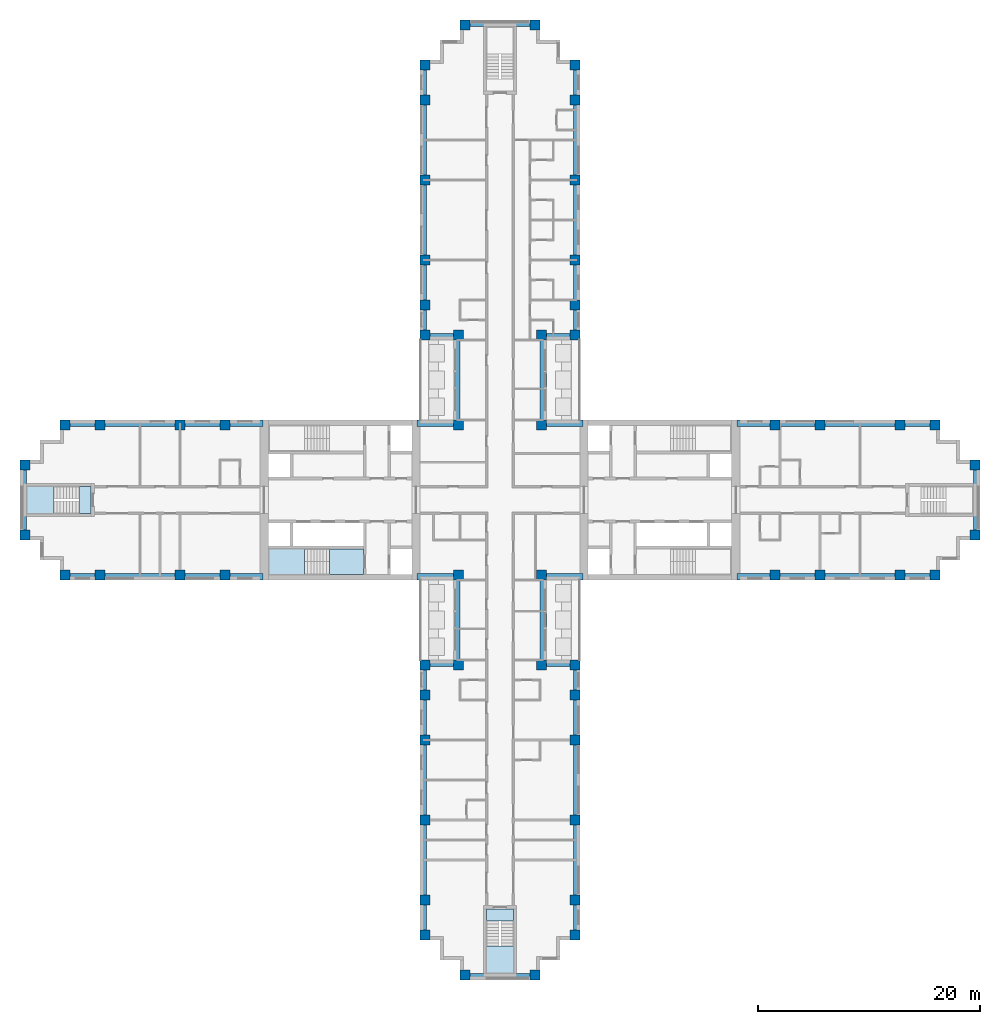
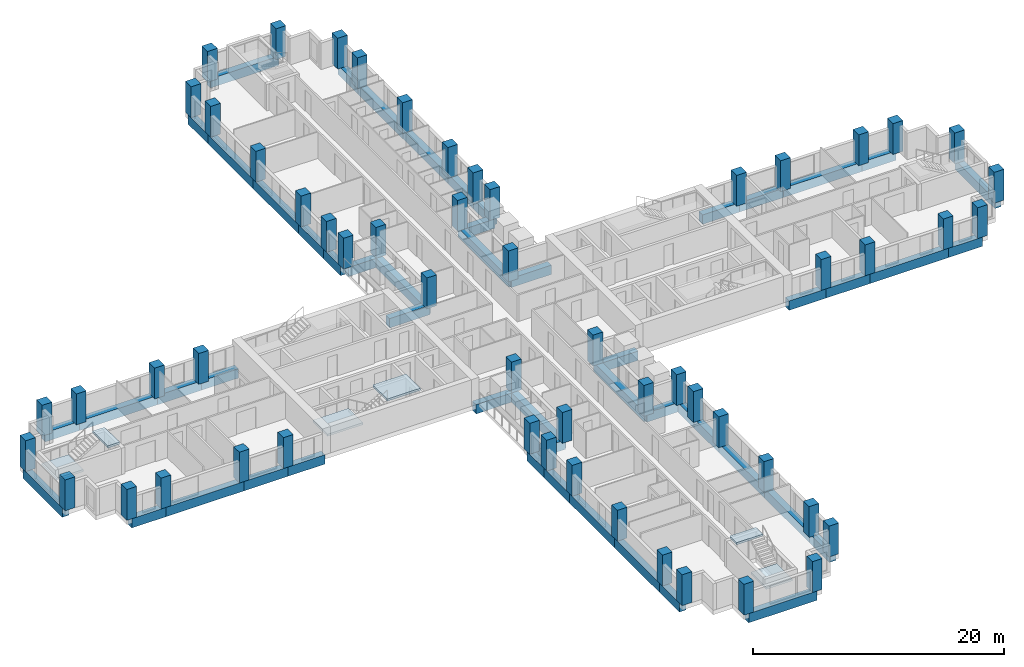
# One storey, part 1 of 15: 56 columns, 52 beams, 6 slabs, 3 elements without a shape of their own.
"""IFC4 building model written with IfcOpenShell, lengths in metres."""

from ifc_helpers import new_model, si_unit, direction, frame, origin, origin_2d, place, context, subcontext, project, spatial, polyline, rectangle, outline, extrude, material, layer, layer_set, material_profile, profile_set, type_object, element, aggregate, save


model = new_model("IFC4")

# Units and contexts
model_context = context("Model", 3, precision=1e-05, world=origin(), true_north=direction((0.0, 1.0)))
body_context = subcontext(model_context, "Body", "Model", "MODEL_VIEW")
ifc_project = project(units=[si_unit("LENGTHUNIT", "METRE"), si_unit("AREAUNIT", "SQUARE_METRE"), si_unit("VOLUMEUNIT", "CUBIC_METRE"), si_unit("PLANEANGLEUNIT", "RADIAN"), si_unit("MASSUNIT", "GRAM", prefix="KILO")], contexts=[model_context])

# Site, building, storey
site_placement = place(None, origin())
site = spatial("IfcSite", under=ifc_project, at=site_placement, CompositionType="ELEMENT")
building_placement = place(site_placement, origin())
building = spatial("IfcBuilding", under=site, at=building_placement, Name="Fustian Cross Tower", CompositionType="ELEMENT")
storey_placement = place(building_placement, frame((0.0, 0.0, 35.699951171875)))
storey = spatial("IfcBuildingStorey", under=building, at=storey_placement, Name="L10", CompositionType="ELEMENT", Elevation=35.699951171875)

# Columns
ifc_material_1 = material(Name="Concrete C70/85", Category="concrete")
ifc_material_profile_1 = material_profile(ifc_material_1, rectangle(XDim=0.89990234375, YDim=0.89990234375, at=origin_2d()), Name="RC 900x900")
ifc_profile_set_1 = profile_set([ifc_material_profile_1], Name="Concrete C70/85")
column_type = type_object("IfcColumnType", Name="COLUMN RC 900x900 C70/85", PredefinedType="COLUMN", material=ifc_profile_set_1)
for number, where, z_axis, x_axis, name in (
    (1, (-42.75, -3.14990234375, 0.0), (0.0, 0.0, 1.0), (1.0, 0.0, 0.0), "COLUMN 001"),
    (2, (-42.75, 3.14990234375, 0.0), (0.0, 0.0, 1.0), (1.0, 0.0, 0.0), "COLUMN 002"),
    (3, (-39.14990234375, -6.75, 0.0), (0.0, 0.0, 1.0), (1.0, 0.0, 0.0), "COLUMN 003"),
    (4, (-39.14990234375, 6.75, 0.0), (0.0, 0.0, 1.0), (1.0, 0.0, 0.0), "COLUMN 004"),
    (5, (-36.0, -6.75, 0.0), (0.0, 0.0, 1.0), (1.0, 0.0, 0.0), "COLUMN 005"),
    (6, (-36.0, 6.75, 0.0), (0.0, 0.0, 1.0), (1.0, 0.0, 0.0), "COLUMN 006"),
    (7, (-28.800048828125, -6.75, 0.0), (0.0, 0.0, 1.0), (1.0, 0.0, 0.0), "COLUMN 007"),
    (8, (-28.800048828125, 6.75, 0.0), (0.0, 0.0, 1.0), (1.0, 0.0, 0.0), "COLUMN 010"),
    (9, (-24.75, -6.75, 0.0), (0.0, 0.0, 1.0), (1.0, 0.0, 0.0), "COLUMN 011"),
    (10, (-24.75, 6.75, 0.0), (0.0, 0.0, 1.0), (1.0, 0.0, 0.0), "COLUMN 012"),
    (11, (-6.75, -39.14990234375, 0.0), (0.0, 0.0, 1.0), (1.0, 0.0, 0.0), "COLUMN 013"),
    (12, (-6.75, -36.0, 0.0), (0.0, 0.0, 1.0), (1.0, 0.0, 0.0), "COLUMN 014"),
    (13, (-6.75, -28.800048828125, 0.0), (0.0, 0.0, 1.0), (1.0, 0.0, 0.0), "COLUMN 015"),
    (14, (-6.75, -21.60009765625, 0.0), (0.0, 0.0, 1.0), (1.0, 0.0, 0.0), "COLUMN 016"),
    (15, (-6.75, -17.550048828125, 0.0), (0.0, 0.0, 1.0), (1.0, 0.0, 0.0), "COLUMN 017"),
    (16, (-6.75, -14.85009765625, 0.0), (0.0, 0.0, 1.0), (1.0, 0.0, 0.0), "COLUMN 018"),
    (17, (-6.75, 14.85009765625, 0.0), (0.0, 0.0, 1.0), (1.0, 0.0, 0.0), "COLUMN 019"),
    (18, (-6.75, 17.550048828125, 0.0), (0.0, 0.0, 1.0), (1.0, 0.0, 0.0), "COLUMN 020"),
    (19, (-6.75, 21.60009765625, 0.0), (0.0, 0.0, 1.0), (1.0, 0.0, 0.0), "COLUMN 021"),
    (20, (-6.75, 28.800048828125, 0.0), (0.0, 0.0, 1.0), (1.0, 0.0, 0.0), "COLUMN 022"),
    (21, (-6.75, 36.0, 0.0), (0.0, 0.0, 1.0), (1.0, 0.0, 0.0), "COLUMN 023"),
    (22, (-6.75, 39.14990234375, 0.0), (0.0, 0.0, 1.0), (1.0, 0.0, 0.0), "COLUMN 024"),
    (23, (-3.75, -14.85009765625, 0.0), (0.0, 0.0, 1.0), (1.0, 0.0, 0.0), "COLUMN 025"),
    (24, (-3.75, -6.75, 0.0), (0.0, 0.0, 1.0), (1.0, 0.0, 0.0), "COLUMN 026"),
    (25, (-3.75, 6.75, 0.0), (0.0, 0.0, 1.0), (1.0, 0.0, 0.0), "COLUMN 027"),
    (26, (-3.75, 14.85009765625, 0.0), (0.0, 0.0, 1.0), (1.0, 0.0, 0.0), "COLUMN 028"),
    (27, (-3.14990234375, -42.75, 0.0), (0.0, 0.0, 1.0), (1.0, 0.0, 0.0), "COLUMN 029"),
    (28, (-3.14990234375, 42.75, 0.0), (0.0, 0.0, 1.0), (1.0, 0.0, 0.0), "COLUMN 032"),
    (29, (3.14990234375, -42.75, 0.0), (0.0, 0.0, 1.0), (1.0, 0.0, 0.0), "COLUMN 033"),
    (30, (3.14990234375, 42.75, 0.0), (0.0, 0.0, 1.0), (1.0, 0.0, 0.0), "COLUMN 036"),
    (31, (3.75, -14.85009765625, 0.0), (0.0, 0.0, 1.0), (1.0, 0.0, 0.0), "COLUMN 037"),
    (32, (3.75, -6.75, 0.0), (0.0, 0.0, 1.0), (1.0, 0.0, 0.0), "COLUMN 038"),
    (33, (3.75, 6.75, 0.0), (0.0, 0.0, 1.0), (1.0, 0.0, 0.0), "COLUMN 039"),
    (34, (3.75, 14.85009765625, 0.0), (0.0, 0.0, 1.0), (1.0, 0.0, 0.0), "COLUMN 040"),
    (35, (6.75, -39.14990234375, 0.0), (0.0, 0.0, 1.0), (1.0, 0.0, 0.0), "COLUMN 041"),
    (36, (6.75, -36.0, 0.0), (0.0, 0.0, 1.0), (1.0, 0.0, 0.0), "COLUMN 042"),
    (37, (6.75, -28.800048828125, 0.0), (0.0, 0.0, 1.0), (1.0, 0.0, 0.0), "COLUMN 043"),
    (38, (6.75, -21.60009765625, 0.0), (0.0, 0.0, 1.0), (1.0, 0.0, 0.0), "COLUMN 044"),
    (39, (6.75, -17.550048828125, 0.0), (0.0, 0.0, 1.0), (1.0, 0.0, 0.0), "COLUMN 045"),
    (40, (6.75, -14.85009765625, 0.0), (0.0, 0.0, 1.0), (1.0, 0.0, 0.0), "COLUMN 046"),
    (41, (6.75, 14.85009765625, 0.0), (0.0, 0.0, 1.0), (1.0, 0.0, 0.0), "COLUMN 047"),
    (42, (6.75, 17.550048828125, 0.0), (0.0, 0.0, 1.0), (1.0, 0.0, 0.0), "COLUMN 048"),
    (43, (6.75, 21.60009765625, 0.0), (0.0, 0.0, 1.0), (1.0, 0.0, 0.0), "COLUMN 049"),
    (44, (6.75, 28.800048828125, 0.0), (0.0, 0.0, 1.0), (1.0, 0.0, 0.0), "COLUMN 050"),
    (45, (6.75, 36.0, 0.0), (0.0, 0.0, 1.0), (1.0, 0.0, 0.0), "COLUMN 051"),
    (46, (6.75, 39.14990234375, 0.0), (0.0, 0.0, 1.0), (1.0, 0.0, 0.0), "COLUMN 052"),
    (47, (24.75, -6.75, 0.0), (0.0, 0.0, 1.0), (1.0, 0.0, 0.0), "COLUMN 053"),
    (48, (24.75, 6.75, 0.0), (0.0, 0.0, 1.0), (1.0, 0.0, 0.0), "COLUMN 054"),
    (49, (28.800048828125, -6.75, 0.0), (0.0, 0.0, 1.0), (1.0, 0.0, 0.0), "COLUMN 055"),
    (50, (28.800048828125, 6.75, 0.0), (0.0, 0.0, 1.0), (1.0, 0.0, 0.0), "COLUMN 058"),
    (51, (36.0, -6.75, 0.0), (0.0, 0.0, 1.0), (1.0, 0.0, 0.0), "COLUMN 059"),
    (52, (36.0, 6.75, 0.0), (0.0, 0.0, 1.0), (1.0, 0.0, 0.0), "COLUMN 060"),
    (53, (39.14990234375, -6.75, 0.0), (0.0, 0.0, 1.0), (1.0, 0.0, 0.0), "COLUMN 061"),
    (54, (39.14990234375, 6.75, 0.0), (0.0, 0.0, 1.0), (1.0, 0.0, 0.0), "COLUMN 062"),
    (55, (42.75, -3.14990234375, 0.0), (0.0, 0.0, 1.0), (1.0, 0.0, 0.0), "COLUMN 063"),
    (56, (42.75, 3.14990234375, 0.0), (0.0, 0.0, 1.0), (1.0, 0.0, 0.0), "COLUMN 064"),
):
    element("IfcColumn", number, at=place(storey_placement, frame(where, z_axis=z_axis, x_axis=x_axis)), inside=storey, type_object=column_type, Name=name, PredefinedType="COLUMN", context=body_context, shape_type="SweptSolid", body=[
        extrude(rectangle(XDim=0.89990234375, YDim=0.89990234375, at=origin_2d()), origin(), (0.0, 0.0, 1.0), 3.0),
    ])

# Beams
ifc_material_2 = material(Name="Concrete C50/60", Category="concrete")
ifc_material_profile_2 = material_profile(ifc_material_2, rectangle(XDim=0.60009765625, YDim=0.89990234375, at=origin_2d()), Name="RC 600x900")
ifc_profile_set_2 = profile_set([ifc_material_profile_2], Name="Concrete C50/60")
beam_type = type_object("IfcBeamType", Name="EDGE BEAM RC 600x900 C50/60", PredefinedType="SPANDREL", material=ifc_profile_set_2)
beam_1_placement = place(storey_placement, frame((21.35009765625, -6.89990234375, -0.449951171875), z_axis=(1.0, 0.0, 0.0), x_axis=(0.0, 1.0, 0.0)))
element("IfcBeam", 57, at=beam_1_placement, inside=storey, type_object=beam_type, Name="EDGE BEAM L10-01", PredefinedType="SPANDREL", context=body_context, shape_type="SweptSolid", body=[
    extrude(rectangle(XDim=0.60009765625, YDim=0.89990234375, at=origin_2d()), origin(), (0.0, 0.0, 1.0), 3.39990234375),
])
beam_2_placement = place(storey_placement, frame((24.75, -6.89990234375, -0.449951171875), z_axis=(1.0, 0.0, 0.0), x_axis=(0.0, 1.0, 0.0)))
element("IfcBeam", 58, at=beam_2_placement, inside=storey, type_object=beam_type, Name="EDGE BEAM L10-02", PredefinedType="SPANDREL", context=body_context, shape_type="SweptSolid", body=[
    extrude(rectangle(XDim=0.60009765625, YDim=0.89990234375, at=origin_2d()), origin(), (0.0, 0.0, 1.0), 4.050048828125),
])
beam_3_placement = place(storey_placement, frame((28.800048828125, -6.89990234375, -0.449951171875), z_axis=(1.0, 0.0, 0.0), x_axis=(0.0, 1.0, 0.0)))
element("IfcBeam", 59, at=beam_3_placement, inside=storey, type_object=beam_type, Name="EDGE BEAM L10-03", PredefinedType="SPANDREL", context=body_context, shape_type="SweptSolid", body=[
    extrude(rectangle(XDim=0.60009765625, YDim=0.89990234375, at=origin_2d()), origin(), (0.0, 0.0, 1.0), 7.199951171875),
])
beam_4_placement = place(storey_placement, frame((36.0, -6.89990234375, -0.449951171875), z_axis=(1.0, 0.0, 0.0), x_axis=(0.0, 1.0, 0.0)))
element("IfcBeam", 60, at=beam_4_placement, inside=storey, type_object=beam_type, Name="EDGE BEAM L10-04", PredefinedType="SPANDREL", context=body_context, shape_type="SweptSolid", body=[
    extrude(rectangle(XDim=0.60009765625, YDim=0.89990234375, at=origin_2d()), origin(), (0.0, 0.0, 1.0), 3.14990234375),
])
beam_5_placement = place(storey_placement, frame((42.89990234375, -3.14990234375, -0.449951171875), z_axis=(0.0, 1.0, 0.0), x_axis=(-1.0, 0.0, 0.0)))
element("IfcBeam", 61, at=beam_5_placement, inside=storey, type_object=beam_type, Name="EDGE BEAM L10-05", PredefinedType="SPANDREL", context=body_context, shape_type="SweptSolid", body=[
    extrude(rectangle(XDim=0.60009765625, YDim=0.89990234375, at=origin_2d()), origin(), (0.0, 0.0, 1.0), 6.2998046875),
])
beam_6_placement = place(storey_placement, frame((39.14990234375, 6.89990234375, -0.449951171875), z_axis=(-1.0, 0.0, 0.0), x_axis=(0.0, -1.0, 0.0)))
element("IfcBeam", 62, at=beam_6_placement, inside=storey, type_object=beam_type, Name="EDGE BEAM L10-06", PredefinedType="SPANDREL", context=body_context, shape_type="SweptSolid", body=[
    extrude(rectangle(XDim=0.60009765625, YDim=0.89990234375, at=origin_2d()), origin(), (0.0, 0.0, 1.0), 3.14990234375),
])
beam_7_placement = place(storey_placement, frame((36.0, 6.89990234375, -0.449951171875), z_axis=(-1.0, 0.0, 0.0), x_axis=(0.0, -1.0, 0.0)))
element("IfcBeam", 63, at=beam_7_placement, inside=storey, type_object=beam_type, Name="EDGE BEAM L10-07", PredefinedType="SPANDREL", context=body_context, shape_type="SweptSolid", body=[
    extrude(rectangle(XDim=0.60009765625, YDim=0.89990234375, at=origin_2d()), origin(), (0.0, 0.0, 1.0), 7.199951171875),
])
beam_8_placement = place(storey_placement, frame((28.800048828125, 6.89990234375, -0.449951171875), z_axis=(-1.0, 0.0, 0.0), x_axis=(0.0, -1.0, 0.0)))
element("IfcBeam", 64, at=beam_8_placement, inside=storey, type_object=beam_type, Name="EDGE BEAM L10-08", PredefinedType="SPANDREL", context=body_context, shape_type="SweptSolid", body=[
    extrude(rectangle(XDim=0.60009765625, YDim=0.89990234375, at=origin_2d()), origin(), (0.0, 0.0, 1.0), 4.050048828125),
])
beam_9_placement = place(storey_placement, frame((24.75, 6.89990234375, -0.449951171875), z_axis=(-1.0, 0.0, 0.0), x_axis=(0.0, -1.0, 0.0)))
element("IfcBeam", 65, at=beam_9_placement, inside=storey, type_object=beam_type, Name="EDGE BEAM L10-09", PredefinedType="SPANDREL", context=body_context, shape_type="SweptSolid", body=[
    extrude(rectangle(XDim=0.60009765625, YDim=0.89990234375, at=origin_2d()), origin(), (0.0, 0.0, 1.0), 3.39990234375),
])
beam_10_placement = place(storey_placement, frame((7.449951171875, 6.89990234375, -0.449951171875), z_axis=(-1.0, 0.0, 0.0), x_axis=(0.0, -1.0, 0.0)))
element("IfcBeam", 66, at=beam_10_placement, inside=storey, type_object=beam_type, Name="EDGE BEAM L10-10", PredefinedType="SPANDREL", context=body_context, shape_type="SweptSolid", body=[
    extrude(rectangle(XDim=0.60009765625, YDim=0.89990234375, at=origin_2d()), origin(), (0.0, 0.0, 1.0), 3.699951171875),
])
beam_11_placement = place(storey_placement, frame((3.89990234375, 6.75, -0.449951171875), z_axis=(0.0, 1.0, 0.0), x_axis=(-1.0, 0.0, 0.0)))
element("IfcBeam", 67, at=beam_11_placement, inside=storey, type_object=beam_type, Name="EDGE BEAM L10-11", PredefinedType="SPANDREL", context=body_context, shape_type="SweptSolid", body=[
    extrude(rectangle(XDim=0.60009765625, YDim=0.89990234375, at=origin_2d()), origin(), (0.0, 0.0, 1.0), 8.10009765625),
])
beam_12_placement = place(storey_placement, frame((3.75, 14.699951171875, -0.449951171875), z_axis=(1.0, 0.0, 0.0), x_axis=(0.0, 1.0, 0.0)))
element("IfcBeam", 68, at=beam_12_placement, inside=storey, type_object=beam_type, Name="EDGE BEAM L10-12", PredefinedType="SPANDREL", context=body_context, shape_type="SweptSolid", body=[
    extrude(rectangle(XDim=0.60009765625, YDim=0.89990234375, at=origin_2d()), origin(), (0.0, 0.0, 1.0), 3.0),
])
beam_13_placement = place(storey_placement, frame((6.89990234375, 14.85009765625, -0.449951171875), z_axis=(0.0, 1.0, 0.0), x_axis=(-1.0, 0.0, 0.0)))
element("IfcBeam", 69, at=beam_13_placement, inside=storey, type_object=beam_type, Name="EDGE BEAM L10-13", PredefinedType="SPANDREL", context=body_context, shape_type="SweptSolid", body=[
    extrude(rectangle(XDim=0.60009765625, YDim=0.89990234375, at=origin_2d()), origin(), (0.0, 0.0, 1.0), 2.699951171875),
])
beam_14_placement = place(storey_placement, frame((6.89990234375, 17.550048828125, -0.449951171875), z_axis=(0.0, 1.0, 0.0), x_axis=(-1.0, 0.0, 0.0)))
element("IfcBeam", 70, at=beam_14_placement, inside=storey, type_object=beam_type, Name="EDGE BEAM L10-14", PredefinedType="SPANDREL", context=body_context, shape_type="SweptSolid", body=[
    extrude(rectangle(XDim=0.60009765625, YDim=0.89990234375, at=origin_2d()), origin(), (0.0, 0.0, 1.0), 4.050048828125),
])
for number, where, z_axis, x_axis, name in (
    (71, (6.89990234375, 21.60009765625, -0.449951171875), (0.0, 1.0, 0.0), (-1.0, 0.0, 0.0), "EDGE BEAM L10-15"),
    (72, (6.89990234375, 28.800048828125, -0.449951171875), (0.0, 1.0, 0.0), (-1.0, 0.0, 0.0), "EDGE BEAM L10-16"),
):
    element("IfcBeam", number, at=place(storey_placement, frame(where, z_axis=z_axis, x_axis=x_axis)), inside=storey, type_object=beam_type, Name=name, PredefinedType="SPANDREL", context=body_context, shape_type="SweptSolid", body=[
        extrude(rectangle(XDim=0.60009765625, YDim=0.89990234375, at=origin_2d()), origin(), (0.0, 0.0, 1.0), 7.199951171875),
    ])
beam_15_placement = place(storey_placement, frame((6.89990234375, 36.0, -0.449951171875), z_axis=(0.0, 1.0, 0.0), x_axis=(-1.0, 0.0, 0.0)))
element("IfcBeam", 73, at=beam_15_placement, inside=storey, type_object=beam_type, Name="EDGE BEAM L10-17", PredefinedType="SPANDREL", context=body_context, shape_type="SweptSolid", body=[
    extrude(rectangle(XDim=0.60009765625, YDim=0.89990234375, at=origin_2d()), origin(), (0.0, 0.0, 1.0), 3.14990234375),
])
beam_16_placement = place(storey_placement, frame((3.14990234375, 42.89990234375, -0.449951171875), z_axis=(-1.0, 0.0, 0.0), x_axis=(0.0, -1.0, 0.0)))
element("IfcBeam", 74, at=beam_16_placement, inside=storey, type_object=beam_type, Name="EDGE BEAM L10-18", PredefinedType="SPANDREL", context=body_context, shape_type="SweptSolid", body=[
    extrude(rectangle(XDim=0.60009765625, YDim=0.89990234375, at=origin_2d()), origin(), (0.0, 0.0, 1.0), 6.2998046875),
])
beam_17_placement = place(storey_placement, frame((-6.89990234375, 39.14990234375, -0.449951171875), z_axis=(0.0, -1.0, 0.0), x_axis=(1.0, 0.0, 0.0)))
element("IfcBeam", 75, at=beam_17_placement, inside=storey, type_object=beam_type, Name="EDGE BEAM L10-19", PredefinedType="SPANDREL", context=body_context, shape_type="SweptSolid", body=[
    extrude(rectangle(XDim=0.60009765625, YDim=0.89990234375, at=origin_2d()), origin(), (0.0, 0.0, 1.0), 3.14990234375),
])
for number, where, z_axis, x_axis, name in (
    (76, (-6.89990234375, 36.0, -0.449951171875), (0.0, -1.0, 0.0), (1.0, 0.0, 0.0), "EDGE BEAM L10-20"),
    (77, (-6.89990234375, 28.800048828125, -0.449951171875), (0.0, -1.0, 0.0), (1.0, 0.0, 0.0), "EDGE BEAM L10-21"),
):
    element("IfcBeam", number, at=place(storey_placement, frame(where, z_axis=z_axis, x_axis=x_axis)), inside=storey, type_object=beam_type, Name=name, PredefinedType="SPANDREL", context=body_context, shape_type="SweptSolid", body=[
        extrude(rectangle(XDim=0.60009765625, YDim=0.89990234375, at=origin_2d()), origin(), (0.0, 0.0, 1.0), 7.199951171875),
    ])
beam_18_placement = place(storey_placement, frame((-6.89990234375, 21.60009765625, -0.449951171875), z_axis=(0.0, -1.0, 0.0), x_axis=(1.0, 0.0, 0.0)))
element("IfcBeam", 78, at=beam_18_placement, inside=storey, type_object=beam_type, Name="EDGE BEAM L10-22", PredefinedType="SPANDREL", context=body_context, shape_type="SweptSolid", body=[
    extrude(rectangle(XDim=0.60009765625, YDim=0.89990234375, at=origin_2d()), origin(), (0.0, 0.0, 1.0), 4.050048828125),
])
beam_19_placement = place(storey_placement, frame((-6.89990234375, 17.550048828125, -0.449951171875), z_axis=(0.0, -1.0, 0.0), x_axis=(1.0, 0.0, 0.0)))
element("IfcBeam", 79, at=beam_19_placement, inside=storey, type_object=beam_type, Name="EDGE BEAM L10-23", PredefinedType="SPANDREL", context=body_context, shape_type="SweptSolid", body=[
    extrude(rectangle(XDim=0.60009765625, YDim=0.89990234375, at=origin_2d()), origin(), (0.0, 0.0, 1.0), 2.699951171875),
])
beam_20_placement = place(storey_placement, frame((-6.75, 14.699951171875, -0.449951171875), z_axis=(1.0, 0.0, 0.0), x_axis=(0.0, 1.0, 0.0)))
element("IfcBeam", 80, at=beam_20_placement, inside=storey, type_object=beam_type, Name="EDGE BEAM L10-24", PredefinedType="SPANDREL", context=body_context, shape_type="SweptSolid", body=[
    extrude(rectangle(XDim=0.60009765625, YDim=0.89990234375, at=origin_2d()), origin(), (0.0, 0.0, 1.0), 3.0),
])
beam_21_placement = place(storey_placement, frame((-3.89990234375, 14.85009765625, -0.449951171875), z_axis=(0.0, -1.0, 0.0), x_axis=(1.0, 0.0, 0.0)))
element("IfcBeam", 81, at=beam_21_placement, inside=storey, type_object=beam_type, Name="EDGE BEAM L10-25", PredefinedType="SPANDREL", context=body_context, shape_type="SweptSolid", body=[
    extrude(rectangle(XDim=0.60009765625, YDim=0.89990234375, at=origin_2d()), origin(), (0.0, 0.0, 1.0), 8.10009765625),
])
beam_22_placement = place(storey_placement, frame((-3.75, 6.89990234375, -0.449951171875), z_axis=(-1.0, 0.0, 0.0), x_axis=(0.0, -1.0, 0.0)))
element("IfcBeam", 82, at=beam_22_placement, inside=storey, type_object=beam_type, Name="EDGE BEAM L10-26", PredefinedType="SPANDREL", context=body_context, shape_type="SweptSolid", body=[
    extrude(rectangle(XDim=0.60009765625, YDim=0.89990234375, at=origin_2d()), origin(), (0.0, 0.0, 1.0), 3.699951171875),
])
beam_23_placement = place(storey_placement, frame((-21.35009765625, 6.89990234375, -0.449951171875), z_axis=(-1.0, 0.0, 0.0), x_axis=(0.0, -1.0, 0.0)))
element("IfcBeam", 83, at=beam_23_placement, inside=storey, type_object=beam_type, Name="EDGE BEAM L10-27", PredefinedType="SPANDREL", context=body_context, shape_type="SweptSolid", body=[
    extrude(rectangle(XDim=0.60009765625, YDim=0.89990234375, at=origin_2d()), origin(), (0.0, 0.0, 1.0), 3.39990234375),
])
beam_24_placement = place(storey_placement, frame((-24.75, 6.89990234375, -0.449951171875), z_axis=(-1.0, 0.0, 0.0), x_axis=(0.0, -1.0, 0.0)))
element("IfcBeam", 84, at=beam_24_placement, inside=storey, type_object=beam_type, Name="EDGE BEAM L10-28", PredefinedType="SPANDREL", context=body_context, shape_type="SweptSolid", body=[
    extrude(rectangle(XDim=0.60009765625, YDim=0.89990234375, at=origin_2d()), origin(), (0.0, 0.0, 1.0), 4.050048828125),
])
beam_25_placement = place(storey_placement, frame((-28.800048828125, 6.89990234375, -0.449951171875), z_axis=(-1.0, 0.0, 0.0), x_axis=(0.0, -1.0, 0.0)))
element("IfcBeam", 85, at=beam_25_placement, inside=storey, type_object=beam_type, Name="EDGE BEAM L10-29", PredefinedType="SPANDREL", context=body_context, shape_type="SweptSolid", body=[
    extrude(rectangle(XDim=0.60009765625, YDim=0.89990234375, at=origin_2d()), origin(), (0.0, 0.0, 1.0), 7.199951171875),
])
beam_26_placement = place(storey_placement, frame((-36.0, 6.89990234375, -0.449951171875), z_axis=(-1.0, 0.0, 0.0), x_axis=(0.0, -1.0, 0.0)))
element("IfcBeam", 86, at=beam_26_placement, inside=storey, type_object=beam_type, Name="EDGE BEAM L10-30", PredefinedType="SPANDREL", context=body_context, shape_type="SweptSolid", body=[
    extrude(rectangle(XDim=0.60009765625, YDim=0.89990234375, at=origin_2d()), origin(), (0.0, 0.0, 1.0), 3.14990234375),
])
beam_27_placement = place(storey_placement, frame((-42.89990234375, 3.14990234375, -0.449951171875), z_axis=(0.0, -1.0, 0.0), x_axis=(1.0, 0.0, 0.0)))
element("IfcBeam", 87, at=beam_27_placement, inside=storey, type_object=beam_type, Name="EDGE BEAM L10-31", PredefinedType="SPANDREL", context=body_context, shape_type="SweptSolid", body=[
    extrude(rectangle(XDim=0.60009765625, YDim=0.89990234375, at=origin_2d()), origin(), (0.0, 0.0, 1.0), 6.2998046875),
])
beam_28_placement = place(storey_placement, frame((-39.14990234375, -6.89990234375, -0.449951171875), z_axis=(1.0, 0.0, 0.0), x_axis=(0.0, 1.0, 0.0)))
element("IfcBeam", 88, at=beam_28_placement, inside=storey, type_object=beam_type, Name="EDGE BEAM L10-32", PredefinedType="SPANDREL", context=body_context, shape_type="SweptSolid", body=[
    extrude(rectangle(XDim=0.60009765625, YDim=0.89990234375, at=origin_2d()), origin(), (0.0, 0.0, 1.0), 3.14990234375),
])
beam_29_placement = place(storey_placement, frame((-36.0, -6.89990234375, -0.449951171875), z_axis=(1.0, 0.0, 0.0), x_axis=(0.0, 1.0, 0.0)))
element("IfcBeam", 89, at=beam_29_placement, inside=storey, type_object=beam_type, Name="EDGE BEAM L10-33", PredefinedType="SPANDREL", context=body_context, shape_type="SweptSolid", body=[
    extrude(rectangle(XDim=0.60009765625, YDim=0.89990234375, at=origin_2d()), origin(), (0.0, 0.0, 1.0), 7.199951171875),
])
beam_30_placement = place(storey_placement, frame((-28.800048828125, -6.89990234375, -0.449951171875), z_axis=(1.0, 0.0, 0.0), x_axis=(0.0, 1.0, 0.0)))
element("IfcBeam", 90, at=beam_30_placement, inside=storey, type_object=beam_type, Name="EDGE BEAM L10-34", PredefinedType="SPANDREL", context=body_context, shape_type="SweptSolid", body=[
    extrude(rectangle(XDim=0.60009765625, YDim=0.89990234375, at=origin_2d()), origin(), (0.0, 0.0, 1.0), 4.050048828125),
])
beam_31_placement = place(storey_placement, frame((-24.75, -6.89990234375, -0.449951171875), z_axis=(1.0, 0.0, 0.0), x_axis=(0.0, 1.0, 0.0)))
element("IfcBeam", 91, at=beam_31_placement, inside=storey, type_object=beam_type, Name="EDGE BEAM L10-35", PredefinedType="SPANDREL", context=body_context, shape_type="SweptSolid", body=[
    extrude(rectangle(XDim=0.60009765625, YDim=0.89990234375, at=origin_2d()), origin(), (0.0, 0.0, 1.0), 3.39990234375),
])
beam_32_placement = place(storey_placement, frame((-7.449951171875, -6.89990234375, -0.449951171875), z_axis=(1.0, 0.0, 0.0), x_axis=(0.0, 1.0, 0.0)))
element("IfcBeam", 92, at=beam_32_placement, inside=storey, type_object=beam_type, Name="EDGE BEAM L10-36", PredefinedType="SPANDREL", context=body_context, shape_type="SweptSolid", body=[
    extrude(rectangle(XDim=0.60009765625, YDim=0.89990234375, at=origin_2d()), origin(), (0.0, 0.0, 1.0), 3.699951171875),
])
beam_33_placement = place(storey_placement, frame((-3.89990234375, -6.75, -0.449951171875), z_axis=(0.0, -1.0, 0.0), x_axis=(1.0, 0.0, 0.0)))
element("IfcBeam", 93, at=beam_33_placement, inside=storey, type_object=beam_type, Name="EDGE BEAM L10-37", PredefinedType="SPANDREL", context=body_context, shape_type="SweptSolid", body=[
    extrude(rectangle(XDim=0.60009765625, YDim=0.89990234375, at=origin_2d()), origin(), (0.0, 0.0, 1.0), 8.10009765625),
])
beam_34_placement = place(storey_placement, frame((-3.75, -14.699951171875, -0.449951171875), z_axis=(-1.0, 0.0, 0.0), x_axis=(0.0, -1.0, 0.0)))
element("IfcBeam", 94, at=beam_34_placement, inside=storey, type_object=beam_type, Name="EDGE BEAM L10-38", PredefinedType="SPANDREL", context=body_context, shape_type="SweptSolid", body=[
    extrude(rectangle(XDim=0.60009765625, YDim=0.89990234375, at=origin_2d()), origin(), (0.0, 0.0, 1.0), 3.0),
])
beam_35_placement = place(storey_placement, frame((-6.89990234375, -14.85009765625, -0.449951171875), z_axis=(0.0, -1.0, 0.0), x_axis=(1.0, 0.0, 0.0)))
element("IfcBeam", 95, at=beam_35_placement, inside=storey, type_object=beam_type, Name="EDGE BEAM L10-39", PredefinedType="SPANDREL", context=body_context, shape_type="SweptSolid", body=[
    extrude(rectangle(XDim=0.60009765625, YDim=0.89990234375, at=origin_2d()), origin(), (0.0, 0.0, 1.0), 2.699951171875),
])
beam_36_placement = place(storey_placement, frame((-6.89990234375, -17.550048828125, -0.449951171875), z_axis=(0.0, -1.0, 0.0), x_axis=(1.0, 0.0, 0.0)))
element("IfcBeam", 96, at=beam_36_placement, inside=storey, type_object=beam_type, Name="EDGE BEAM L10-40", PredefinedType="SPANDREL", context=body_context, shape_type="SweptSolid", body=[
    extrude(rectangle(XDim=0.60009765625, YDim=0.89990234375, at=origin_2d()), origin(), (0.0, 0.0, 1.0), 4.050048828125),
])
for number, where, z_axis, x_axis, name in (
    (97, (-6.89990234375, -21.60009765625, -0.449951171875), (0.0, -1.0, 0.0), (1.0, 0.0, 0.0), "EDGE BEAM L10-41"),
    (98, (-6.89990234375, -28.800048828125, -0.449951171875), (0.0, -1.0, 0.0), (1.0, 0.0, 0.0), "EDGE BEAM L10-42"),
):
    element("IfcBeam", number, at=place(storey_placement, frame(where, z_axis=z_axis, x_axis=x_axis)), inside=storey, type_object=beam_type, Name=name, PredefinedType="SPANDREL", context=body_context, shape_type="SweptSolid", body=[
        extrude(rectangle(XDim=0.60009765625, YDim=0.89990234375, at=origin_2d()), origin(), (0.0, 0.0, 1.0), 7.199951171875),
    ])
beam_37_placement = place(storey_placement, frame((-6.89990234375, -36.0, -0.449951171875), z_axis=(0.0, -1.0, 0.0), x_axis=(1.0, 0.0, 0.0)))
element("IfcBeam", 99, at=beam_37_placement, inside=storey, type_object=beam_type, Name="EDGE BEAM L10-43", PredefinedType="SPANDREL", context=body_context, shape_type="SweptSolid", body=[
    extrude(rectangle(XDim=0.60009765625, YDim=0.89990234375, at=origin_2d()), origin(), (0.0, 0.0, 1.0), 3.14990234375),
])
beam_38_placement = place(storey_placement, frame((-3.14990234375, -42.89990234375, -0.449951171875), z_axis=(1.0, 0.0, 0.0), x_axis=(0.0, 1.0, 0.0)))
element("IfcBeam", 100, at=beam_38_placement, inside=storey, type_object=beam_type, Name="EDGE BEAM L10-44", PredefinedType="SPANDREL", context=body_context, shape_type="SweptSolid", body=[
    extrude(rectangle(XDim=0.60009765625, YDim=0.89990234375, at=origin_2d()), origin(), (0.0, 0.0, 1.0), 6.2998046875),
])
beam_39_placement = place(storey_placement, frame((6.89990234375, -39.14990234375, -0.449951171875), z_axis=(0.0, 1.0, 0.0), x_axis=(-1.0, 0.0, 0.0)))
element("IfcBeam", 101, at=beam_39_placement, inside=storey, type_object=beam_type, Name="EDGE BEAM L10-45", PredefinedType="SPANDREL", context=body_context, shape_type="SweptSolid", body=[
    extrude(rectangle(XDim=0.60009765625, YDim=0.89990234375, at=origin_2d()), origin(), (0.0, 0.0, 1.0), 3.14990234375),
])
for number, where, z_axis, x_axis, name in (
    (102, (6.89990234375, -36.0, -0.449951171875), (0.0, 1.0, 0.0), (-1.0, 0.0, 0.0), "EDGE BEAM L10-46"),
    (103, (6.89990234375, -28.800048828125, -0.449951171875), (0.0, 1.0, 0.0), (-1.0, 0.0, 0.0), "EDGE BEAM L10-47"),
):
    element("IfcBeam", number, at=place(storey_placement, frame(where, z_axis=z_axis, x_axis=x_axis)), inside=storey, type_object=beam_type, Name=name, PredefinedType="SPANDREL", context=body_context, shape_type="SweptSolid", body=[
        extrude(rectangle(XDim=0.60009765625, YDim=0.89990234375, at=origin_2d()), origin(), (0.0, 0.0, 1.0), 7.199951171875),
    ])
beam_40_placement = place(storey_placement, frame((6.89990234375, -21.60009765625, -0.449951171875), z_axis=(0.0, 1.0, 0.0), x_axis=(-1.0, 0.0, 0.0)))
element("IfcBeam", 104, at=beam_40_placement, inside=storey, type_object=beam_type, Name="EDGE BEAM L10-48", PredefinedType="SPANDREL", context=body_context, shape_type="SweptSolid", body=[
    extrude(rectangle(XDim=0.60009765625, YDim=0.89990234375, at=origin_2d()), origin(), (0.0, 0.0, 1.0), 4.050048828125),
])
beam_41_placement = place(storey_placement, frame((6.89990234375, -17.550048828125, -0.449951171875), z_axis=(0.0, 1.0, 0.0), x_axis=(-1.0, 0.0, 0.0)))
element("IfcBeam", 105, at=beam_41_placement, inside=storey, type_object=beam_type, Name="EDGE BEAM L10-49", PredefinedType="SPANDREL", context=body_context, shape_type="SweptSolid", body=[
    extrude(rectangle(XDim=0.60009765625, YDim=0.89990234375, at=origin_2d()), origin(), (0.0, 0.0, 1.0), 2.699951171875),
])
beam_42_placement = place(storey_placement, frame((6.75, -14.699951171875, -0.449951171875), z_axis=(-1.0, 0.0, 0.0), x_axis=(0.0, -1.0, 0.0)))
element("IfcBeam", 106, at=beam_42_placement, inside=storey, type_object=beam_type, Name="EDGE BEAM L10-50", PredefinedType="SPANDREL", context=body_context, shape_type="SweptSolid", body=[
    extrude(rectangle(XDim=0.60009765625, YDim=0.89990234375, at=origin_2d()), origin(), (0.0, 0.0, 1.0), 3.0),
])
beam_43_placement = place(storey_placement, frame((3.89990234375, -14.85009765625, -0.449951171875), z_axis=(0.0, 1.0, 0.0), x_axis=(-1.0, 0.0, 0.0)))
element("IfcBeam", 107, at=beam_43_placement, inside=storey, type_object=beam_type, Name="EDGE BEAM L10-51", PredefinedType="SPANDREL", context=body_context, shape_type="SweptSolid", body=[
    extrude(rectangle(XDim=0.60009765625, YDim=0.89990234375, at=origin_2d()), origin(), (0.0, 0.0, 1.0), 8.10009765625),
])
beam_44_placement = place(storey_placement, frame((3.75, -6.89990234375, -0.449951171875), z_axis=(1.0, 0.0, 0.0), x_axis=(0.0, 1.0, 0.0)))
element("IfcBeam", 108, at=beam_44_placement, inside=storey, type_object=beam_type, Name="EDGE BEAM L10-52", PredefinedType="SPANDREL", context=body_context, shape_type="SweptSolid", body=[
    extrude(rectangle(XDim=0.60009765625, YDim=0.89990234375, at=origin_2d()), origin(), (0.0, 0.0, 1.0), 3.699951171875),
])

# Stair, slabs
ifc_material_3 = material(Name="Concrete C50/60", Category="concrete")
stair_type_1 = type_object("IfcStairType", Name="STAIR 1150 HALF TURN", PredefinedType="HALF_TURN_STAIR", material=ifc_material_3)
stair_1_placement = place(storey_placement, origin())
stair_1 = element("IfcStair", 109, at=stair_1_placement, inside=storey, type_object=stair_type_1, Name="Stair ST4", PredefinedType="HALF_TURN_STAIR")
ifc_material_4 = material(Name="Concrete C50/60", Category="concrete")
ifc_layer = layer(ifc_material_4, 0.199951171875)
ifc_layer_set = layer_set([ifc_layer], Name="Concrete C50/60")
slab_type = type_object("IfcSlabType", Name="STAIR LANDING", PredefinedType="LANDING", material=ifc_layer_set)
slab_1_placement = place(storey_placement, frame((0.0, 0.0, 1.300048828125)))
slab_1 = element("IfcSlab", 110, at=slab_1_placement, type_object=slab_type, Name="ST4 landing 1", PredefinedType="LANDING", context=body_context, shape_type="SweptSolid", body=[
    extrude(outline(polyline([(-17.590087890625, -4.39990234375), (-20.85009765625, -4.39990234375), (-20.85009765625, -6.699951171875), (-17.590087890625, -6.699951171875), (-17.590087890625, -4.39990234375)])), origin(), (0.0, 0.0, 1.0), 0.199951171875),
])
slab_2_placement = place(storey_placement, frame((0.0, 0.0, 2.800048828125)))
slab_2 = element("IfcSlab", 111, at=slab_2_placement, type_object=slab_type, Name="ST4 landing 2", PredefinedType="LANDING", context=body_context, shape_type="SweptSolid", body=[
    extrude(outline(polyline([(-12.300048828125, -4.39990234375), (-15.35009765625, -4.39990234375), (-15.35009765625, -6.699951171875), (-12.300048828125, -6.699951171875), (-12.300048828125, -4.39990234375)])), origin(), (0.0, 0.0, 1.0), 0.199951171875),
])
aggregate(stair_1, [slab_1, slab_2])

ifc_material_5 = material(Name="Concrete C50/60", Category="concrete")
stair_type_2 = type_object("IfcStairType", Name="STAIR 1100 HALF TURN", PredefinedType="HALF_TURN_STAIR", material=ifc_material_5)
stair_2_placement = place(storey_placement, origin())
stair_2 = element("IfcStair", 112, at=stair_2_placement, inside=storey, type_object=stair_type_2, Name="Stair ST6", PredefinedType="HALF_TURN_STAIR")
slab_3_placement = place(storey_placement, frame((0.0, 0.0, 1.300048828125)))
slab_3 = element("IfcSlab", 113, at=slab_3_placement, type_object=slab_type, Name="ST6 landing 1", PredefinedType="LANDING", context=body_context, shape_type="SweptSolid", body=[
    extrude(outline(polyline([(-1.199951171875, -40.139892578125), (-1.199951171875, -42.60009765625), (1.199951171875, -42.60009765625), (1.199951171875, -40.139892578125), (-1.199951171875, -40.139892578125)])), origin(), (0.0, 0.0, 1.0), 0.199951171875),
])
slab_4_placement = place(storey_placement, frame((0.0, 0.0, 2.800048828125)))
slab_4 = element("IfcSlab", 114, at=slab_4_placement, type_object=slab_type, Name="ST6 landing 2", PredefinedType="LANDING", context=body_context, shape_type="SweptSolid", body=[
    extrude(outline(polyline([(-1.199951171875, -36.800048828125), (-1.199951171875, -37.89990234375), (1.199951171875, -37.89990234375), (1.199951171875, -36.800048828125), (-1.199951171875, -36.800048828125)])), origin(), (0.0, 0.0, 1.0), 0.199951171875),
])
aggregate(stair_2, [slab_3, slab_4])

stair_3_placement = place(storey_placement, origin())
stair_3 = element("IfcStair", 115, at=stair_3_placement, inside=storey, type_object=stair_type_2, Name="Stair ST9", PredefinedType="HALF_TURN_STAIR")
slab_5_placement = place(storey_placement, frame((0.0, 0.0, 1.300048828125)))
slab_5 = element("IfcSlab", 116, at=slab_5_placement, type_object=slab_type, Name="ST9 landing 1", PredefinedType="LANDING", context=body_context, shape_type="SweptSolid", body=[
    extrude(outline(polyline([(-40.139892578125, -1.199951171875), (-42.60009765625, -1.199951171875), (-42.60009765625, 1.199951171875), (-40.139892578125, 1.199951171875), (-40.139892578125, -1.199951171875)])), origin(), (0.0, 0.0, 1.0), 0.199951171875),
])
slab_6_placement = place(storey_placement, frame((0.0, 0.0, 2.800048828125)))
slab_6 = element("IfcSlab", 117, at=slab_6_placement, type_object=slab_type, Name="ST9 landing 2", PredefinedType="LANDING", context=body_context, shape_type="SweptSolid", body=[
    extrude(outline(polyline([(-36.800048828125, -1.199951171875), (-37.89990234375, -1.199951171875), (-37.89990234375, 1.199951171875), (-36.800048828125, 1.199951171875), (-36.800048828125, -1.199951171875)])), origin(), (0.0, 0.0, 1.0), 0.199951171875),
])
aggregate(stair_3, [slab_5, slab_6])

save(model, "model.ifc")
